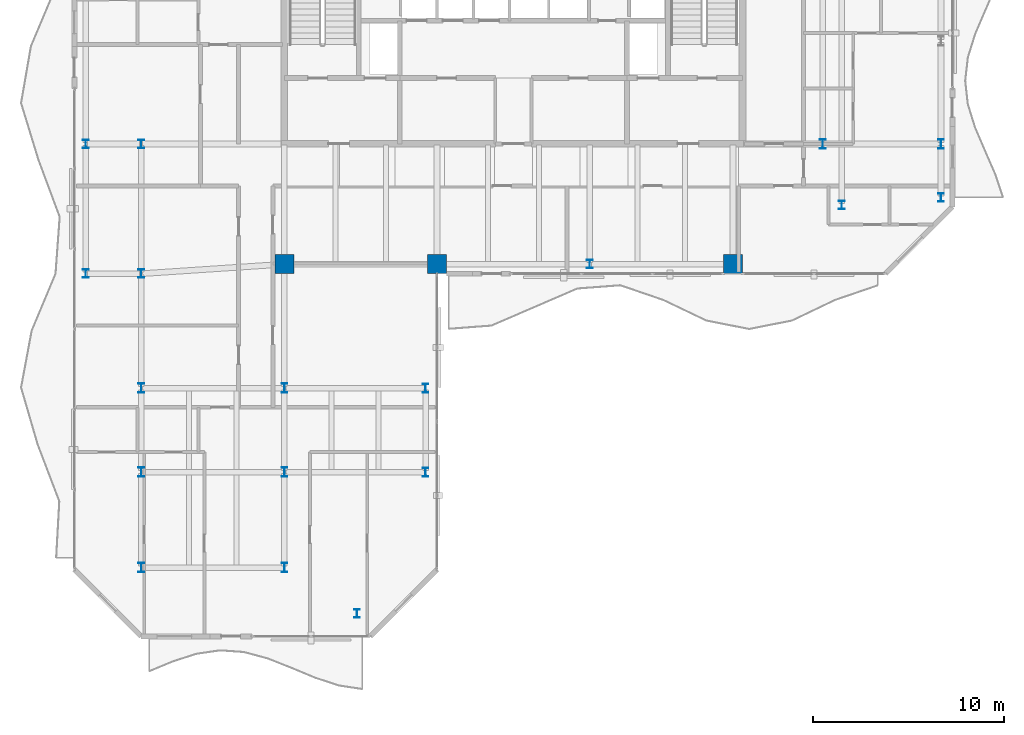
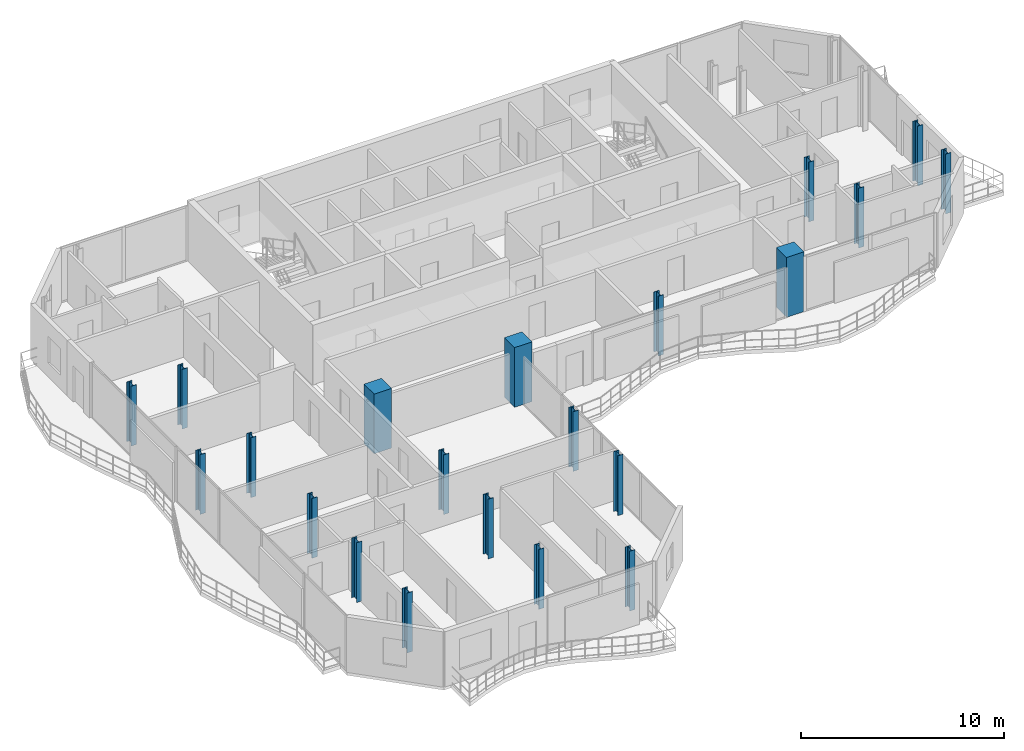
# One storey, part 1 of 23: 21 columns.
"""IFC4 building model written with IfcOpenShell, lengths in metres."""

from ifc_helpers import new_model, si_unit, direction, frame, origin, origin_2d, place, context, subcontext, project, spatial, rectangle, i_section, extrude, material, material_profile, profile_set, type_object, element, save


model = new_model("IFC4")

# Units and contexts
model_context = context("Model", 3, precision=1e-05, world=origin(), true_north=direction((0.0, 1.0)))
body_context = subcontext(model_context, "Body", "Model", "MODEL_VIEW")
ifc_project = project(units=[si_unit("LENGTHUNIT", "METRE"), si_unit("AREAUNIT", "SQUARE_METRE"), si_unit("VOLUMEUNIT", "CUBIC_METRE"), si_unit("PLANEANGLEUNIT", "RADIAN"), si_unit("MASSUNIT", "GRAM", prefix="KILO")], contexts=[model_context])

# Site, building, storey
site_placement = place(None, origin())
site = spatial("IfcSite", under=ifc_project, at=site_placement, CompositionType="ELEMENT")
building_placement = place(site_placement, origin())
building = spatial("IfcBuilding", under=site, at=building_placement, Name="Catumbela Crestline Tower", CompositionType="ELEMENT")
storey_placement = place(building_placement, frame((0.0, 0.0, 197.4)))
storey = spatial("IfcBuildingStorey", under=building, at=storey_placement, Name="L51", CompositionType="ELEMENT", Elevation=197.4)

# Columns
ifc_material_1 = material(Name="Concrete C50/60", Category="concrete")
ifc_material_profile_1 = material_profile(ifc_material_1, rectangle(XDim=1.0, YDim=1.0, at=origin_2d()), Name="RC 1000x1000")
ifc_profile_set_1 = profile_set([ifc_material_profile_1], Name="Concrete C50/60")
column_type_1 = type_object("IfcColumnType", Name="C-RC1000-C50", PredefinedType="COLUMN", material=ifc_profile_set_1)
for number, where, z_axis, x_axis, name in (
    (1, (16.0, 24.5, 0.0), (0.0, 0.0, 1.0), (1.0, 0.0, 0.0), "L51 Column C-16-24 (RC 1000x1000)"),
    (2, (24.0, 24.5, 0.0), (0.0, 0.0, 1.0), (1.0, 0.0, 0.0), "L51 Column C-24-24 (RC 1000x1000)"),
    (3, (39.5, 24.5, 0.0), (0.0, 0.0, 1.0), (1.0, 0.0, 0.0), "L51 Column C-40-24 (RC 1000x1000)"),
):
    element("IfcColumn", number, at=place(storey_placement, frame(where, z_axis=z_axis, x_axis=x_axis)), inside=storey, type_object=column_type_1, Name=name, PredefinedType="COLUMN", context=body_context, shape_type="SweptSolid", body=[
        extrude(rectangle(XDim=1.0, YDim=1.0, at=origin_2d()), origin(), (0.0, 0.0, 1.0), 3.6),
    ])
ifc_material_2 = material(Name="Structural steel S355J2", Category="steel")
ifc_material_profile_2 = material_profile(ifc_material_2, i_section(OverallWidth=0.3, OverallDepth=0.45, WebThickness=0.014, FlangeThickness=0.026, FilletRadius=0.027, at=origin_2d()), Name="HEB 450")
ifc_profile_set_2 = profile_set([ifc_material_profile_2], Name="Structural steel S355J2")
column_type_2 = type_object("IfcColumnType", Name="C-ST-HEB450", PredefinedType="COLUMN", material=ifc_profile_set_2)
for number, where, z_axis, x_axis, name in (
    (4, (8.5, 24.0, 0.0), (0.0, 0.0, 1.0), (1.0, 0.0, 0.0), "L51 Column C-08-24 (HEB 450)"),
    (5, (32.0, 24.5, 0.0), (0.0, 0.0, 1.0), (1.0, 0.0, 0.0), "L51 Column C-32-24 (HEB 450)"),
    (6, (5.6, 24.0, 0.0), (0.0, 0.0, 1.0), (1.0, 0.0, 0.0), "L51 Column C-05-24 (HEB 450)"),
    (7, (5.6, 30.8, 0.0), (0.0, 0.0, 1.0), (1.0, 0.0, 0.0), "L51 Column C-05-31 (HEB 450)"),
    (8, (8.5, 30.8, 0.0), (0.0, 0.0, 1.0), (1.0, 0.0, 0.0), "L51 Column C-08-31 (HEB 450)"),
    (9, (45.2, 27.6, 0.0), (0.0, 0.0, 1.0), (1.0, 0.0, 0.0), "L51 Column C-46-24 (HEB 450)"),
    (10, (50.4, 28.0, 0.0), (0.0, 0.0, 1.0), (1.0, 0.0, 0.0), "L51 Column C-51-24 (HEB 450)"),
    (11, (19.8, 6.2, 0.0), (0.0, 0.0, 1.0), (1.0, 0.0, 0.0), "L51 Column C-24-05 (HEB 450)"),
    (12, (23.4, 13.6, 0.0), (0.0, 0.0, 1.0), (1.0, 0.0, 0.0), "L51 Column C-24-10 (HEB 450)"),
    (13, (23.4, 18.0, 0.0), (0.0, 0.0, 1.0), (1.0, 0.0, 0.0), "L51 Column C-24-16 (HEB 450)"),
):
    element("IfcColumn", number, at=place(storey_placement, frame(where, z_axis=z_axis, x_axis=x_axis)), inside=storey, type_object=column_type_2, Name=name, PredefinedType="COLUMN", context=body_context, shape_type="SweptSolid", body=[
        extrude(i_section(OverallWidth=0.3, OverallDepth=0.45, WebThickness=0.014, FlangeThickness=0.026, FilletRadius=0.027, at=origin_2d()), origin(), (0.0, 0.0, 1.0), 3.6),
    ])
ifc_material_profile_3 = material_profile(ifc_material_2, i_section(OverallWidth=0.3, OverallDepth=0.5, WebThickness=0.0145, FlangeThickness=0.028, FilletRadius=0.027, at=origin_2d()), Name="HEB 500")
ifc_profile_set_3 = profile_set([ifc_material_profile_3], Name="Structural steel S355J2")
column_type_3 = type_object("IfcColumnType", Name="C-ST-HEB500", PredefinedType="COLUMN", material=ifc_profile_set_3)
for number, where, z_axis, x_axis, name in (
    (14, (8.5, 8.6, 0.0), (0.0, 0.0, 1.0), (1.0, 0.0, 0.0), "L51 Column CT-05-05 (HEB 500)"),
    (15, (16.0, 8.6, 0.0), (0.0, 0.0, 1.0), (1.0, 0.0, 0.0), "L51 Column CT-14-05 (HEB 500)"),
    (16, (8.5, 13.6, 0.0), (0.0, 0.0, 1.0), (1.0, 0.0, 0.0), "L51 Column CT-05-10 (HEB 500)"),
    (17, (16.0, 13.6, 0.0), (0.0, 0.0, 1.0), (1.0, 0.0, 0.0), "L51 Column CT-14-10 (HEB 500)"),
    (18, (8.5, 18.0, 0.0), (0.0, 0.0, 1.0), (1.0, 0.0, 0.0), "L51 Column CT-05-16 (HEB 500)"),
    (19, (16.0, 18.0, 0.0), (0.0, 0.0, 1.0), (1.0, 0.0, 0.0), "L51 Column CT-14-16 (HEB 500)"),
    (20, (44.2, 30.8, 0.0), (0.0, 0.0, 1.0), (1.0, 0.0, 0.0), "L51 Column CT-46-31 (HEB 500)"),
    (21, (50.4, 30.8, 0.0), (0.0, 0.0, 1.0), (1.0, 0.0, 0.0), "L51 Column CT-51-31 (HEB 500)"),
):
    element("IfcColumn", number, at=place(storey_placement, frame(where, z_axis=z_axis, x_axis=x_axis)), inside=storey, type_object=column_type_3, Name=name, PredefinedType="COLUMN", context=body_context, shape_type="SweptSolid", body=[
        extrude(i_section(OverallWidth=0.3, OverallDepth=0.5, WebThickness=0.0145, FlangeThickness=0.028, FilletRadius=0.027, at=origin_2d()), origin(), (0.0, 0.0, 1.0), 3.6),
    ])

save(model, "model.ifc")
